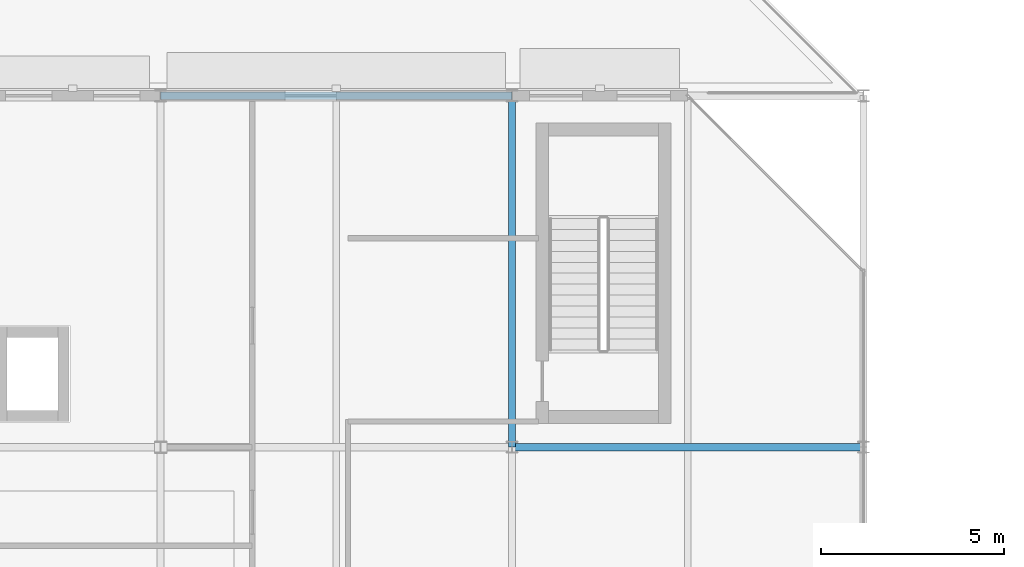
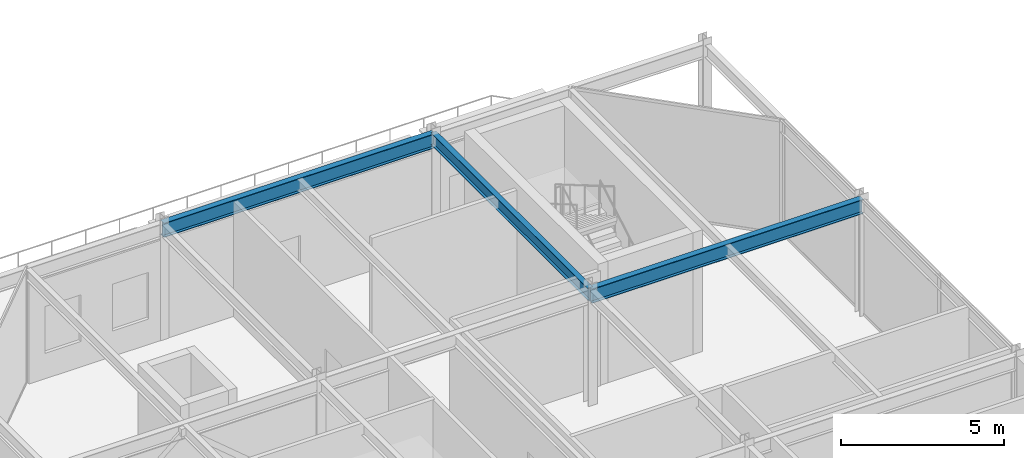
# One storey, part 16 of 50: 3 beams.
"""IFC4 building model written with IfcOpenShell, lengths in metres."""

from ifc_helpers import new_model, si_unit, direction, frame, origin, origin_2d, place, context, subcontext, project, spatial, i_section, extrude, material, material_profile, profile_set, type_object, element, save


model = new_model("IFC4")

# Units and contexts
model_context = context("Model", 3, precision=1e-05, world=origin(), true_north=direction((0.0, 1.0)))
body_context = subcontext(model_context, "Body", "Model", "MODEL_VIEW")
ifc_project = project(units=[si_unit("LENGTHUNIT", "METRE"), si_unit("AREAUNIT", "SQUARE_METRE"), si_unit("VOLUMEUNIT", "CUBIC_METRE"), si_unit("PLANEANGLEUNIT", "RADIAN"), si_unit("MASSUNIT", "GRAM", prefix="KILO")], contexts=[model_context])

# Site, building, storey
site_placement = place(None, origin())
site = spatial("IfcSite", under=ifc_project, at=site_placement, CompositionType="ELEMENT")
building_placement = place(site_placement, origin())
building = spatial("IfcBuilding", under=site, at=building_placement, Name="Almandine Court Research Institute", CompositionType="ELEMENT")
storey_placement = place(building_placement, frame((0.0, 0.0, 23.449951171875)))
storey = spatial("IfcBuildingStorey", under=building, at=storey_placement, Name="L05", CompositionType="ELEMENT", Elevation=23.449951171875)

# Beams
ifc_material = material(Name="Steel ASTM A992 Grade 50", Category="steel")
ifc_material_profile_1 = material_profile(ifc_material, i_section(OverallWidth=0.18994140625, OverallDepth=0.45703125, WebThickness=0.009033203125, FlangeThickness=0.014892578125, at=origin_2d()), Name="W460x74")
ifc_profile_set_1 = profile_set([ifc_material_profile_1], Name="Steel ASTM A992 Grade 50")
beam_type_1 = type_object("IfcBeamType", Name="Beam-B-01", PredefinedType="BEAM", material=ifc_profile_set_1)
beam_1_placement = place(storey_placement, frame((25.199951171875, 103.199951171875, 4.080078125), z_axis=(0.0, 1.0, 0.0), x_axis=(-1.0, 0.0, 0.0)))
element("IfcBeam", 1, at=beam_1_placement, inside=storey, type_object=beam_type_1, Name="L05 V3 Primary Y Girder", PredefinedType="BEAM", context=body_context, shape_type="SweptSolid", body=[
    extrude(i_section(OverallWidth=0.18994140625, OverallDepth=0.45703125, WebThickness=0.009033203125, FlangeThickness=0.014892578125, at=origin_2d()), origin(), (0.0, 0.0, 1.0), 9.60009765625),
])
ifc_material_profile_2 = material_profile(ifc_material, i_section(OverallWidth=0.2109375, OverallDepth=0.5390625, WebThickness=0.011962890625, FlangeThickness=0.01904296875, at=origin_2d()), Name="W530x109")
ifc_profile_set_2 = profile_set([ifc_material_profile_2], Name="Steel ASTM A992 Grade 50")
beam_type_2 = type_object("IfcBeamType", Name="Beam-G-04", PredefinedType="BEAM", material=ifc_profile_set_2)
beam_2_placement = place(storey_placement, frame((25.199951171875, 103.199951171875, 4.0390625), z_axis=(1.0, 0.0, 0.0), x_axis=(0.0, 1.0, 0.0)))
element("IfcBeam", 2, at=beam_2_placement, inside=storey, type_object=beam_type_2, Name="L05 V3 Primary X Girder", PredefinedType="BEAM", context=body_context, shape_type="SweptSolid", body=[
    extrude(i_section(OverallWidth=0.2109375, OverallDepth=0.5390625, WebThickness=0.011962890625, FlangeThickness=0.01904296875, at=origin_2d()), origin(), (0.0, 0.0, 1.0), 9.60009765625),
])
beam_3_placement = place(storey_placement, frame((15.60009765625, 112.800048828125, 4.0390625), z_axis=(1.0, 0.0, 0.0), x_axis=(0.0, 1.0, 0.0)))
element("IfcBeam", 3, at=beam_3_placement, inside=storey, type_object=beam_type_2, Name="L05 V3 Primary X Girder", PredefinedType="BEAM", context=body_context, shape_type="SweptSolid", body=[
    extrude(i_section(OverallWidth=0.2109375, OverallDepth=0.5390625, WebThickness=0.011962890625, FlangeThickness=0.01904296875, at=origin_2d()), origin(), (0.0, 0.0, 1.0), 9.599853515625),
])

save(model, "model.ifc")
